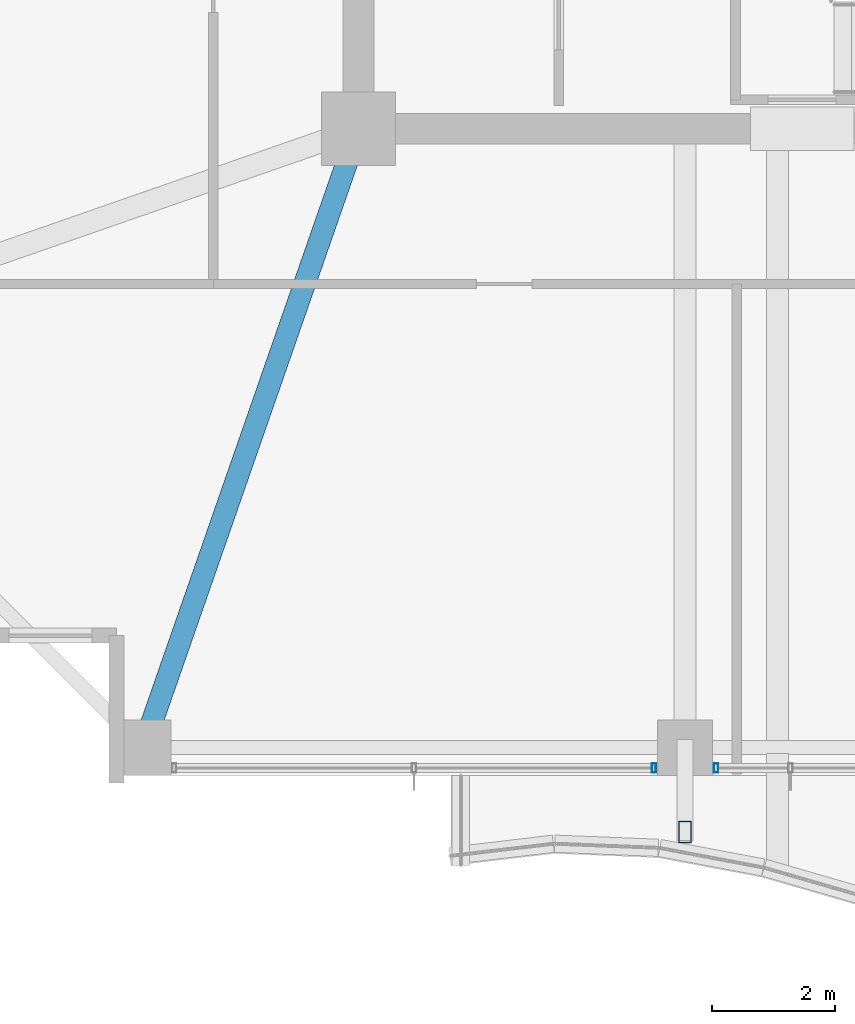
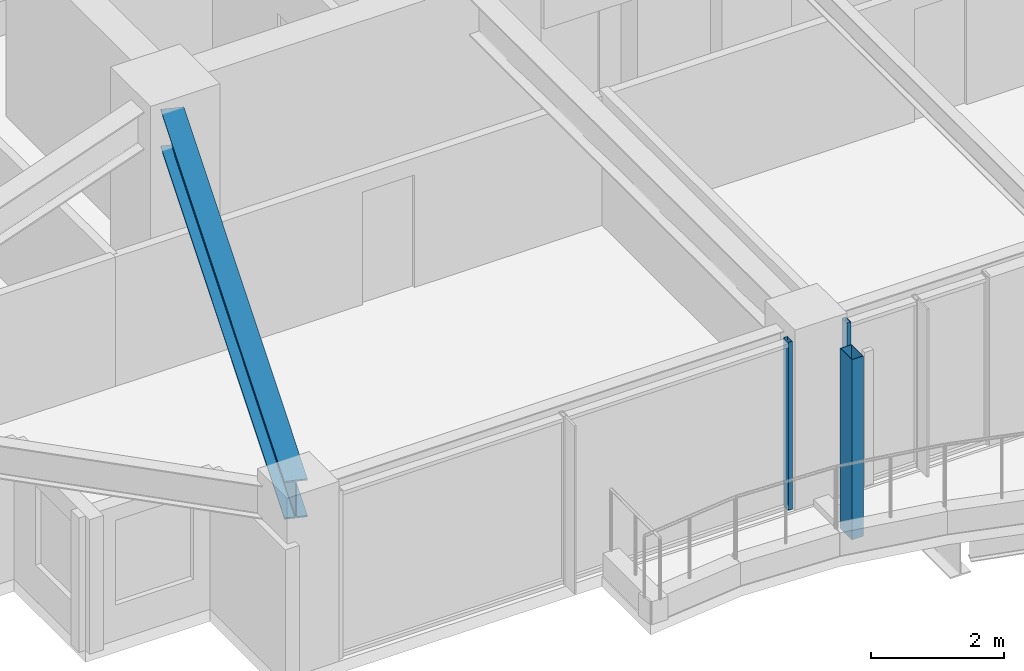
# One storey, part 4 of 37: 3 members, 1 beam, 2 elements without a shape of their own.
"""IFC4 building model written with IfcOpenShell, lengths in metres."""

from ifc_helpers import new_model, si_unit, direction, frame, origin, origin_2d, place, context, subcontext, project, spatial, hollow_rectangle, i_section, extrude, material, material_profile, profile_set, type_object, element, aggregate, save


model = new_model("IFC4")

# Units and contexts
model_context = context("Model", 3, precision=1e-05, world=origin(), true_north=direction((0.0, 1.0)))
body_context = subcontext(model_context, "Body", "Model", "MODEL_VIEW")
ifc_project = project(units=[si_unit("LENGTHUNIT", "METRE"), si_unit("AREAUNIT", "SQUARE_METRE"), si_unit("VOLUMEUNIT", "CUBIC_METRE"), si_unit("PLANEANGLEUNIT", "RADIAN"), si_unit("MASSUNIT", "GRAM", prefix="KILO")], contexts=[model_context])

# Site, building, storey
site_placement = place(None, origin())
site = spatial("IfcSite", under=ifc_project, at=site_placement, CompositionType="ELEMENT")
building_placement = place(site_placement, origin())
building = spatial("IfcBuilding", under=site, at=building_placement, Name="Kolvaren Belvedere", CompositionType="ELEMENT")
storey_placement = place(building_placement, frame((0.0, 0.0, 180.0)))
storey = spatial("IfcBuildingStorey", under=building, at=storey_placement, Name="L52", CompositionType="ELEMENT", Elevation=180.0)

# Beam
ifc_material_1 = material(Name="Structural steel ASTM A992 Grade 50", Category="steel")
ifc_material_profile_1 = material_profile(ifc_material_1, i_section(OverallWidth=0.35498046875, OverallDepth=0.696044921875, WebThickness=0.015380859375, FlangeThickness=0.02490234375, FilletRadius=0.02197265625, at=origin_2d()), Name="W27X146")
ifc_profile_set_1 = profile_set([ifc_material_profile_1], Name="Structural steel ASTM A992 Grade 50")
beam_type = type_object("IfcBeamType", Name="BM-GIRD-W27X146", PredefinedType="BEAM", material=ifc_profile_set_1)
beam_placement = place(storey_placement, frame((-10.080810546875, -10.41943359375, 2.73193359375), z_axis=(-0.328894130701, -0.944366798861, 0.0), x_axis=(0.944366798861, -0.328894130701, 0.0)))
element("IfcBeam", 1, at=beam_placement, inside=storey, type_object=beam_type, Name="L52 Corner Core-to-Perimeter Girder CC1-S1", PredefinedType="BEAM", context=body_context, shape_type="SweptSolid", body=[
    extrude(i_section(OverallWidth=0.35498046875, OverallDepth=0.696044921875, WebThickness=0.015380859375, FlangeThickness=0.02490234375, FilletRadius=0.02197265625, at=origin_2d()), origin(), (0.0, 0.0, 1.0), 9.912109375),
])

# Curtain wall, member
ifc_material_2 = material(Name="Anodised pale-metal aluminium AA 6063-T6", Category="aluminium")
curtain_wall_type = type_object("IfcCurtainWallType", Name="CW-Z5-HIGH", PredefinedType="NOTDEFINED", material=ifc_material_2)
curtain_wall_1_placement = place(storey_placement, origin())
curtain_wall_1 = element("IfcCurtainWall", 2, at=curtain_wall_1_placement, inside=storey, type_object=curtain_wall_type, Name="L52 Unitised Curtain Wall FCW-L52-S2-B1", PredefinedType="NOTDEFINED")
ifc_material_3 = material(Name="Anodised pale-metal aluminium AA 6063-T6", Category="aluminium")
ifc_material_profile_2 = material_profile(ifc_material_3, hollow_rectangle(XDim=0.070068359375, YDim=0.14990234375, WallThickness=0.004150390625, at=origin_2d()), Name="ALU-MUL-150X70")
ifc_profile_set_2 = profile_set([ifc_material_profile_2], Name="Anodised pale-metal aluminium AA 6063-T6")
member_type_1 = type_object("IfcMemberType", Name="CW-MUL-150", PredefinedType="MULLION", material=ifc_profile_set_2)
member_1_placement = place(storey_placement, frame((-4.094970703125, -20.280029296875, 0.0), z_axis=(0.0, 0.0, 1.0), x_axis=(1.0, 0.0, 0.0)))
member_1 = element("IfcMember", 3, at=member_1_placement, type_object=member_type_1, Name="FCW-L52-S2-B1 Unitised Mullion 3", PredefinedType="MULLION", context=body_context, shape_type="SweptSolid", body=[
    extrude(hollow_rectangle(XDim=0.070068359375, YDim=0.14990234375, WallThickness=0.004150390625, at=origin_2d()), origin(), (0.0, 0.0, 1.0), 3.080078125),
])
aggregate(curtain_wall_1, [member_1])

curtain_wall_2_placement = place(storey_placement, origin())
curtain_wall_2 = element("IfcCurtainWall", 4, at=curtain_wall_2_placement, inside=storey, type_object=curtain_wall_type, Name="L52 Unitised Curtain Wall FCW-L52-S2-B2", PredefinedType="NOTDEFINED")
member_2_placement = place(storey_placement, frame((-5.10498046875, -20.280029296875, 0.0), z_axis=(0.0, 0.0, 1.0), x_axis=(1.0, 0.0, 0.0)))
member_2 = element("IfcMember", 5, at=member_2_placement, type_object=member_type_1, Name="FCW-L52-S2-B2 Unitised Mullion 1", PredefinedType="MULLION", context=body_context, shape_type="SweptSolid", body=[
    extrude(hollow_rectangle(XDim=0.070068359375, YDim=0.14990234375, WallThickness=0.004150390625, at=origin_2d()), origin(), (0.0, 0.0, 1.0), 3.080078125),
])
aggregate(curtain_wall_2, [member_2])

# Member
ifc_material_4 = material(Name="Anodised pale-metal aluminium AA 6063-T6", Category="aluminium")
ifc_material_profile_3 = material_profile(ifc_material_4, hollow_rectangle(XDim=0.199951171875, YDim=0.35009765625, WallThickness=0.007568359375, at=origin_2d()), Name="ALU-PF-350X200")
ifc_profile_set_3 = profile_set([ifc_material_profile_3], Name="Anodised pale-metal aluminium AA 6063-T6")
member_type_2 = type_object("IfcMemberType", Name="PF-FRAME-350", PredefinedType="USERDEFINED", material=ifc_profile_set_3)
member_3_placement = place(storey_placement, frame((-4.60009765625, -21.320068359375, 0.0), z_axis=(0.0, 0.0, 1.0), x_axis=(1.0, 0.0, 0.0)))
element("IfcMember", 6, at=member_3_placement, inside=storey, type_object=member_type_2, Name="L52 Outboard Picture-Frame Vertical S2", ObjectType="PICTURE FRAME FIN", PredefinedType="USERDEFINED", context=body_context, shape_type="SweptSolid", body=[
    extrude(hollow_rectangle(XDim=0.199951171875, YDim=0.35009765625, WallThickness=0.007568359375, at=origin_2d()), origin(), (0.0, 0.0, 1.0), 3.300048828125),
])

save(model, "model.ifc")
